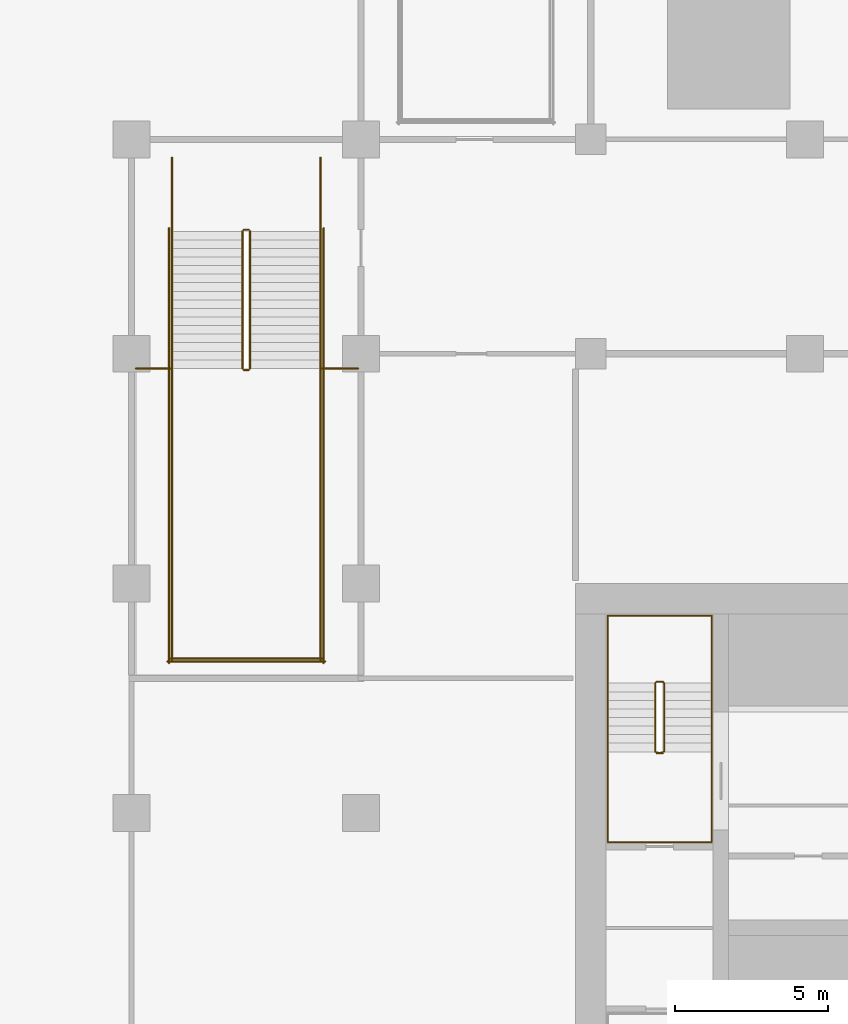
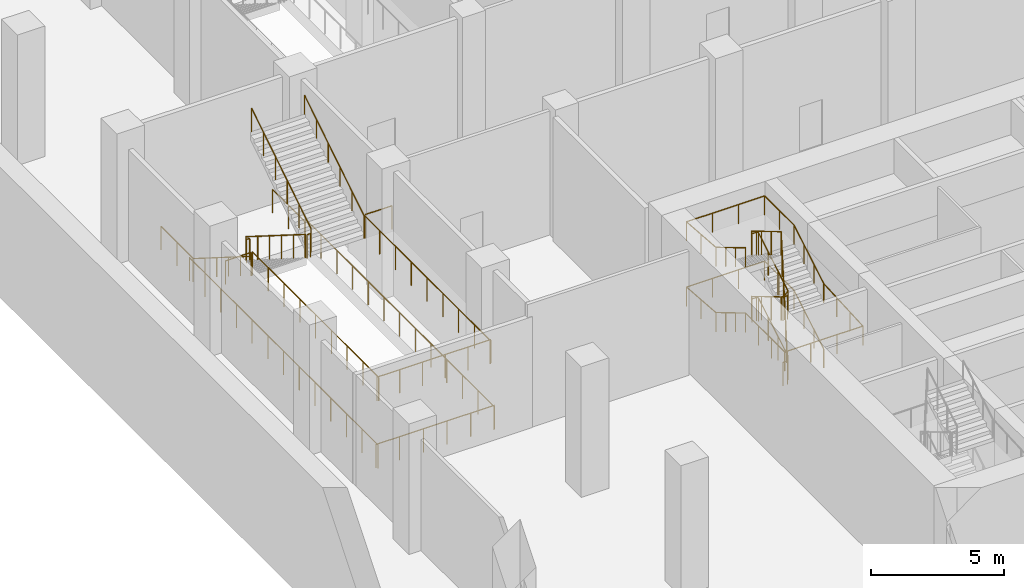
# One storey, part 33 of 45: 18 railings.
"""IFC4 building model written with IfcOpenShell, lengths in metres."""

from ifc_helpers import new_model, si_unit, direction, frame, origin, origin_2d, place, context, subcontext, project, spatial, circle, extrude, material, type_object, element, save


model = new_model("IFC4")

# Units and contexts
model_context = context("Model", 3, precision=1e-05, world=origin(), true_north=direction((0.0, 1.0)))
body_context = subcontext(model_context, "Body", "Model", "MODEL_VIEW")
ifc_project = project(units=[si_unit("LENGTHUNIT", "METRE"), si_unit("AREAUNIT", "SQUARE_METRE"), si_unit("VOLUMEUNIT", "CUBIC_METRE"), si_unit("PLANEANGLEUNIT", "RADIAN"), si_unit("MASSUNIT", "GRAM", prefix="KILO")], contexts=[model_context])

# Site, building, storey
site_placement = place(None, origin())
site = spatial("IfcSite", under=ifc_project, at=site_placement, CompositionType="ELEMENT")
building_placement = place(site_placement, origin())
building = spatial("IfcBuilding", under=site, at=building_placement, Name="Tamorin Gate", CompositionType="ELEMENT")
storey_placement = place(building_placement, frame((0.0, 0.0, -6.0)))
storey = spatial("IfcBuildingStorey", under=building, at=storey_placement, Name="B1", CompositionType="ELEMENT", Elevation=-6.0)

# Railings
ifc_material_1 = material(Name="Steel", Category="steel")
railing_type_1 = type_object("IfcRailingType", Name="Podium guard 1100", PredefinedType="GUARDRAIL", material=ifc_material_1)
railing_1_placement = place(storey_placement, frame((19.125, 94.0, 0.176513671875)))
element("IfcRailing", 1, at=railing_1_placement, inside=storey, type_object=railing_type_1, Name="B1 SB1 stair guard 1", PredefinedType="GUARDRAIL", context=body_context, shape_type="SweptSolid", body=[
    extrude(circle(Radius=0.02392578125, at=origin_2d()), frame((0.0, 0.0, 1.076171875), z_axis=(0.0, -0.845997938375, 0.533186166611), x_axis=(1.0, 0.0, 0.0)), (0.0, 0.0, 1.0), 5.29541015625),
    extrude(circle(Radius=0.02099609375, at=origin_2d()), origin(), (0.0, 0.0, 1.0), 1.052001953125),
    extrude(circle(Radius=0.02099609375, at=origin_2d()), frame((0.0, -0.89599609375, 0.564697265625)), (0.0, 0.0, 1.0), 1.052001953125),
    extrude(circle(Radius=0.02099609375, at=origin_2d()), frame((0.0, -1.7919921875, 1.12939453125)), (0.0, 0.0, 1.0), 1.052001953125),
    extrude(circle(Radius=0.02099609375, at=origin_2d()), frame((0.0, -2.68798828125, 1.694091796875)), (0.0, 0.0, 1.0), 1.052001953125),
    extrude(circle(Radius=0.02099609375, at=origin_2d()), frame((0.0, -3.583984375, 2.2587890625)), (0.0, 0.0, 1.0), 1.052001953125),
    extrude(circle(Radius=0.02099609375, at=origin_2d()), frame((0.0, -4.47998046875, 2.823486328125)), (0.0, 0.0, 1.0), 1.052001953125),
])
railing_2_placement = place(storey_placement, frame((19.175048828125, 89.469970703125, 3.0)))
element("IfcRailing", 2, at=railing_2_placement, inside=storey, type_object=railing_type_1, Name="B1 SB1 stair guard 2", PredefinedType="GUARDRAIL", context=body_context, shape_type="SweptSolid", body=[
    extrude(circle(Radius=0.02392578125, at=origin_2d()), frame((0.0, 0.0, 1.076171875), z_axis=(1.0, 0.0, 0.0), x_axis=(0.0, 1.0, 0.0)), (0.0, 0.0, 1.0), 0.14990234375),
    extrude(circle(Radius=0.02099609375, at=origin_2d()), origin(), (0.0, 0.0, 1.0), 1.052001953125),
    extrude(circle(Radius=0.02099609375, at=origin_2d()), frame((0.14990234375, 0.0, 0.0)), (0.0, 0.0, 1.0), 1.052001953125),
])
for number, where, name in (
    (3, (16.824951171875, 89.52001953125, 3.0), "B1 SB1 stair guard 3"),
    (4, (21.675048828125, 89.52001953125, 3.0), "B1 SB1 stair guard 4"),
):
    element("IfcRailing", number, at=place(storey_placement, frame(where)), inside=storey, type_object=railing_type_1, Name=name, PredefinedType="GUARDRAIL", context=body_context, shape_type="SweptSolid", body=[
        extrude(circle(Radius=0.02392578125, at=origin_2d()), frame((0.0, 0.0, 1.076171875), z_axis=(0.0, -1.0, 0.0), x_axis=(1.0, 0.0, 0.0)), (0.0, 0.0, 1.0), 9.52001953125),
        extrude(circle(Radius=0.02099609375, at=origin_2d()), origin(), (0.0, 0.0, 1.0), 1.052001953125),
        extrude(circle(Radius=0.02099609375, at=origin_2d()), frame((0.0, -1.18994140625, 0.0)), (0.0, 0.0, 1.0), 1.052001953125),
        extrude(circle(Radius=0.02099609375, at=origin_2d()), frame((0.0, -2.3798828125, 0.0)), (0.0, 0.0, 1.0), 1.052001953125),
        extrude(circle(Radius=0.02099609375, at=origin_2d()), frame((0.0, -3.570068359375, 0.0)), (0.0, 0.0, 1.0), 1.052001953125),
        extrude(circle(Radius=0.02099609375, at=origin_2d()), frame((0.0, -4.760009765625, 0.0)), (0.0, 0.0, 1.0), 1.052001953125),
        extrude(circle(Radius=0.02099609375, at=origin_2d()), frame((0.0, -5.949951171875, 0.0)), (0.0, 0.0, 1.0), 1.052001953125),
        extrude(circle(Radius=0.02099609375, at=origin_2d()), frame((0.0, -7.14013671875, 0.0)), (0.0, 0.0, 1.0), 1.052001953125),
        extrude(circle(Radius=0.02099609375, at=origin_2d()), frame((0.0, -8.330078125, 0.0)), (0.0, 0.0, 1.0), 1.052001953125),
        extrude(circle(Radius=0.02099609375, at=origin_2d()), frame((0.0, -9.52001953125, 0.0)), (0.0, 0.0, 1.0), 1.052001953125),
    ])
railing_3_placement = place(storey_placement, frame((16.77490234375, 80.050048828125, 3.0)))
element("IfcRailing", 5, at=railing_3_placement, inside=storey, type_object=railing_type_1, Name="B1 SB1 stair guard 5", PredefinedType="GUARDRAIL", context=body_context, shape_type="SweptSolid", body=[
    extrude(circle(Radius=0.02392578125, at=origin_2d()), frame((0.0, 0.0, 1.076171875), z_axis=(1.0, 0.0, 0.0), x_axis=(0.0, 1.0, 0.0)), (0.0, 0.0, 1.0), 4.9501953125),
    extrude(circle(Radius=0.02099609375, at=origin_2d()), origin(), (0.0, 0.0, 1.0), 1.052001953125),
    extrude(circle(Radius=0.02099609375, at=origin_2d()), frame((0.989990234375, 0.0, 0.0)), (0.0, 0.0, 1.0), 1.052001953125),
    extrude(circle(Radius=0.02099609375, at=origin_2d()), frame((1.97998046875, 0.0, 0.0)), (0.0, 0.0, 1.0), 1.052001953125),
    extrude(circle(Radius=0.02099609375, at=origin_2d()), frame((2.97021484375, 0.0, 0.0)), (0.0, 0.0, 1.0), 1.052001953125),
    extrude(circle(Radius=0.02099609375, at=origin_2d()), frame((3.960205078125, 0.0, 0.0)), (0.0, 0.0, 1.0), 1.052001953125),
    extrude(circle(Radius=0.02099609375, at=origin_2d()), frame((4.9501953125, 0.0, 0.0)), (0.0, 0.0, 1.0), 1.052001953125),
])
railing_4_placement = place(storey_placement, frame((19.375, 89.52001953125, 3.176513671875)))
element("IfcRailing", 6, at=railing_4_placement, inside=storey, type_object=railing_type_1, Name="B1 SB1 stair guard 6", PredefinedType="GUARDRAIL", context=body_context, shape_type="SweptSolid", body=[
    extrude(circle(Radius=0.02392578125, at=origin_2d()), frame((0.0, 0.0, 1.076171875), z_axis=(0.0, 0.845997938375, 0.533186166611), x_axis=(-1.0, 0.0, 0.0)), (0.0, 0.0, 1.0), 5.29541015625),
    extrude(circle(Radius=0.02099609375, at=origin_2d()), origin(), (0.0, 0.0, 1.0), 1.052001953125),
    extrude(circle(Radius=0.02099609375, at=origin_2d()), frame((0.0, 0.89599609375, 0.564697265625)), (0.0, 0.0, 1.0), 1.052001953125),
    extrude(circle(Radius=0.02099609375, at=origin_2d()), frame((0.0, 1.7919921875, 1.12939453125)), (0.0, 0.0, 1.0), 1.052001953125),
    extrude(circle(Radius=0.02099609375, at=origin_2d()), frame((0.0, 2.68798828125, 1.694091796875)), (0.0, 0.0, 1.0), 1.052001953125),
    extrude(circle(Radius=0.02099609375, at=origin_2d()), frame((0.0, 3.583984375, 2.2587890625)), (0.0, 0.0, 1.0), 1.052001953125),
    extrude(circle(Radius=0.02099609375, at=origin_2d()), frame((0.0, 4.47998046875, 2.823486328125)), (0.0, 0.0, 1.0), 1.052001953125),
])
railing_5_placement = place(storey_placement, frame((19.175048828125, 94.050048828125, 0.0)))
element("IfcRailing", 7, at=railing_5_placement, inside=storey, type_object=railing_type_1, Name="B1 SB1 stair guard 7", PredefinedType="GUARDRAIL", context=body_context, shape_type="SweptSolid", body=[
    extrude(circle(Radius=0.02392578125, at=origin_2d()), frame((0.0, 0.0, 1.076171875), z_axis=(1.0, 0.0, 0.0), x_axis=(0.0, 1.0, 0.0)), (0.0, 0.0, 1.0), 0.14990234375),
    extrude(circle(Radius=0.02099609375, at=origin_2d()), origin(), (0.0, 0.0, 1.0), 1.052001953125),
    extrude(circle(Radius=0.02099609375, at=origin_2d()), frame((0.14990234375, 0.0, 0.0)), (0.0, 0.0, 1.0), 1.052001953125),
])
for number, where, name in (
    (8, (16.824951171875, 96.39990234375, 0.0), "B1 SB1 stair guard 8"),
    (9, (21.675048828125, 96.39990234375, 0.0), "B1 SB1 stair guard 9"),
):
    element("IfcRailing", number, at=place(storey_placement, frame(where)), inside=storey, type_object=railing_type_1, Name=name, PredefinedType="GUARDRAIL", context=body_context, shape_type="SweptSolid", body=[
        extrude(circle(Radius=0.02392578125, at=origin_2d()), frame((0.0, 0.0, 1.076171875), z_axis=(0.0, -1.0, 0.0), x_axis=(1.0, 0.0, 0.0)), (0.0, 0.0, 1.0), 2.39990234375),
        extrude(circle(Radius=0.02099609375, at=origin_2d()), origin(), (0.0, 0.0, 1.0), 1.052001953125),
        extrude(circle(Radius=0.02099609375, at=origin_2d()), frame((0.0, -1.199951171875, 0.0)), (0.0, 0.0, 1.0), 1.052001953125),
        extrude(circle(Radius=0.02099609375, at=origin_2d()), frame((0.0, -2.39990234375, 0.0)), (0.0, 0.0, 1.0), 1.052001953125),
    ])
railing_6_placement = place(storey_placement, frame((16.72509765625, 94.10009765625, 0.0)))
element("IfcRailing", 10, at=railing_6_placement, inside=storey, type_object=railing_type_1, Name="B1 SB1 stair guard 10", PredefinedType="GUARDRAIL", context=body_context, shape_type="SweptSolid", body=[
    extrude(circle(Radius=0.02392578125, at=origin_2d()), frame((0.0, 0.0, 1.076171875), z_axis=(0.0, -1.0, 0.0), x_axis=(1.0, 0.0, 0.0)), (0.0, 0.0, 1.0), 14.2001953125),
    extrude(circle(Radius=0.02099609375, at=origin_2d()), origin(), (0.0, 0.0, 1.0), 1.052001953125),
    extrude(circle(Radius=0.02099609375, at=origin_2d()), frame((0.0, -1.183349609375, 0.0)), (0.0, 0.0, 1.0), 1.052001953125),
    extrude(circle(Radius=0.02099609375, at=origin_2d()), frame((0.0, -2.36669921875, 0.0)), (0.0, 0.0, 1.0), 1.052001953125),
    extrude(circle(Radius=0.02099609375, at=origin_2d()), frame((0.0, -3.550048828125, 0.0)), (0.0, 0.0, 1.0), 1.052001953125),
    extrude(circle(Radius=0.02099609375, at=origin_2d()), frame((0.0, -4.7333984375, 0.0)), (0.0, 0.0, 1.0), 1.052001953125),
    extrude(circle(Radius=0.02099609375, at=origin_2d()), frame((0.0, -5.916748046875, 0.0)), (0.0, 0.0, 1.0), 1.052001953125),
    extrude(circle(Radius=0.02099609375, at=origin_2d()), frame((0.0, -7.10009765625, 0.0)), (0.0, 0.0, 1.0), 1.052001953125),
    extrude(circle(Radius=0.02099609375, at=origin_2d()), frame((0.0, -8.283447265625, 0.0)), (0.0, 0.0, 1.0), 1.052001953125),
    extrude(circle(Radius=0.02099609375, at=origin_2d()), frame((0.0, -9.466796875, 0.0)), (0.0, 0.0, 1.0), 1.052001953125),
    extrude(circle(Radius=0.02099609375, at=origin_2d()), frame((0.0, -10.650146484375, 0.0)), (0.0, 0.0, 1.0), 1.052001953125),
    extrude(circle(Radius=0.02099609375, at=origin_2d()), frame((0.0, -11.83349609375, 0.0)), (0.0, 0.0, 1.0), 1.052001953125),
    extrude(circle(Radius=0.02099609375, at=origin_2d()), frame((0.0, -13.016845703125, 0.0)), (0.0, 0.0, 1.0), 1.052001953125),
    extrude(circle(Radius=0.02099609375, at=origin_2d()), frame((0.0, -14.2001953125, 0.0)), (0.0, 0.0, 1.0), 1.052001953125),
])
railing_7_placement = place(storey_placement, frame((21.77490234375, 94.10009765625, 0.0)))
element("IfcRailing", 11, at=railing_7_placement, inside=storey, type_object=railing_type_1, Name="B1 SB1 stair guard 11", PredefinedType="GUARDRAIL", context=body_context, shape_type="SweptSolid", body=[
    extrude(circle(Radius=0.02392578125, at=origin_2d()), frame((0.0, 0.0, 1.076171875), z_axis=(0.0, -1.0, 0.0), x_axis=(1.0, 0.0, 0.0)), (0.0, 0.0, 1.0), 14.2001953125),
    extrude(circle(Radius=0.02099609375, at=origin_2d()), origin(), (0.0, 0.0, 1.0), 1.052001953125),
    extrude(circle(Radius=0.02099609375, at=origin_2d()), frame((0.0, -1.183349609375, 0.0)), (0.0, 0.0, 1.0), 1.052001953125),
    extrude(circle(Radius=0.02099609375, at=origin_2d()), frame((0.0, -2.36669921875, 0.0)), (0.0, 0.0, 1.0), 1.052001953125),
    extrude(circle(Radius=0.02099609375, at=origin_2d()), frame((0.0, -3.550048828125, 0.0)), (0.0, 0.0, 1.0), 1.052001953125),
    extrude(circle(Radius=0.02099609375, at=origin_2d()), frame((0.0, -4.7333984375, 0.0)), (0.0, 0.0, 1.0), 1.052001953125),
    extrude(circle(Radius=0.02099609375, at=origin_2d()), frame((0.0, -5.916748046875, 0.0)), (0.0, 0.0, 1.0), 1.052001953125),
    extrude(circle(Radius=0.02099609375, at=origin_2d()), frame((0.0, -7.10009765625, 0.0)), (0.0, 0.0, 1.0), 1.052001953125),
    extrude(circle(Radius=0.02099609375, at=origin_2d()), frame((0.0, -8.283447265625, 0.0)), (0.0, 0.0, 1.0), 1.052001953125),
    extrude(circle(Radius=0.02099609375, at=origin_2d()), frame((0.0, -9.466796875, 0.0)), (0.0, 0.0, 1.0), 1.052001953125),
    extrude(circle(Radius=0.02099609375, at=origin_2d()), frame((0.0, -10.650146484375, 0.0)), (0.0, 0.0, 1.0), 1.052001953125),
    extrude(circle(Radius=0.02099609375, at=origin_2d()), frame((0.0, -11.83349609375, 0.0)), (0.0, 0.0, 1.0), 1.052001953125),
    extrude(circle(Radius=0.02099609375, at=origin_2d()), frame((0.0, -13.016845703125, 0.0)), (0.0, 0.0, 1.0), 1.052001953125),
    extrude(circle(Radius=0.02099609375, at=origin_2d()), frame((0.0, -14.2001953125, 0.0)), (0.0, 0.0, 1.0), 1.052001953125),
])
railing_8_placement = place(storey_placement, frame((16.675048828125, 79.949951171875, 0.0)))
element("IfcRailing", 12, at=railing_8_placement, inside=storey, type_object=railing_type_1, Name="B1 SB1 stair guard 12", PredefinedType="GUARDRAIL", context=body_context, shape_type="SweptSolid", body=[
    extrude(circle(Radius=0.02392578125, at=origin_2d()), frame((0.0, 0.0, 1.076171875), z_axis=(1.0, 0.0, 0.0), x_axis=(0.0, 1.0, 0.0)), (0.0, 0.0, 1.0), 5.14990234375),
    extrude(circle(Radius=0.02099609375, at=origin_2d()), origin(), (0.0, 0.0, 1.0), 1.052001953125),
    extrude(circle(Radius=0.02099609375, at=origin_2d()), frame((1.030029296875, 0.0, 0.0)), (0.0, 0.0, 1.0), 1.052001953125),
    extrude(circle(Radius=0.02099609375, at=origin_2d()), frame((2.06005859375, 0.0, 0.0)), (0.0, 0.0, 1.0), 1.052001953125),
    extrude(circle(Radius=0.02099609375, at=origin_2d()), frame((3.08984375, 0.0, 0.0)), (0.0, 0.0, 1.0), 1.052001953125),
    extrude(circle(Radius=0.02099609375, at=origin_2d()), frame((4.119873046875, 0.0, 0.0)), (0.0, 0.0, 1.0), 1.052001953125),
    extrude(circle(Radius=0.02099609375, at=origin_2d()), frame((5.14990234375, 0.0, 0.0)), (0.0, 0.0, 1.0), 1.052001953125),
])
railing_9_placement = place(storey_placement, frame((15.64990234375, 89.52001953125, 3.0)))
element("IfcRailing", 13, at=railing_9_placement, inside=storey, type_object=railing_type_1, Name="Landing edge guard", PredefinedType="GUARDRAIL", context=body_context, shape_type="SweptSolid", body=[
    extrude(circle(Radius=0.02392578125, at=origin_2d()), frame((0.0, 0.0, 1.076171875), z_axis=(1.0, 0.0, 0.0), x_axis=(0.0, 1.0, 0.0)), (0.0, 0.0, 1.0), 1.125),
    extrude(circle(Radius=0.02099609375, at=origin_2d()), origin(), (0.0, 0.0, 1.0), 1.052001953125),
    extrude(circle(Radius=0.02099609375, at=origin_2d()), frame((1.125, 0.0, 0.0)), (0.0, 0.0, 1.0), 1.052001953125),
])
railing_10_placement = place(storey_placement, frame((21.72509765625, 89.52001953125, 3.0)))
element("IfcRailing", 14, at=railing_10_placement, inside=storey, type_object=railing_type_1, Name="Landing edge guard", PredefinedType="GUARDRAIL", context=body_context, shape_type="SweptSolid", body=[
    extrude(circle(Radius=0.02392578125, at=origin_2d()), frame((0.0, 0.0, 1.076171875), z_axis=(1.0, 0.0, 0.0), x_axis=(0.0, 1.0, 0.0)), (0.0, 0.0, 1.0), 1.1748046875),
    extrude(circle(Radius=0.02099609375, at=origin_2d()), origin(), (0.0, 0.0, 1.0), 1.052001953125),
    extrude(circle(Radius=0.02099609375, at=origin_2d()), frame((1.1748046875, 0.0, 0.0)), (0.0, 0.0, 1.0), 1.052001953125),
])
railing_type_2 = type_object("IfcRailingType", Name="Podium stair handrail 900", PredefinedType="HANDRAIL", material=ifc_material_1)
railing_11_placement = place(storey_placement, frame((16.824951171875, 94.0, 0.176513671875)))
element("IfcRailing", 15, at=railing_11_placement, inside=storey, type_object=railing_type_2, Name="B1 SB1 stair handrail 1", PredefinedType="HANDRAIL", context=body_context, shape_type="SweptSolid", body=[
    extrude(circle(Radius=0.02392578125, at=origin_2d()), frame((0.0, 0.0, 0.8759765625), z_axis=(0.0, -0.845997938375, 0.533186166611), x_axis=(1.0, 0.0, 0.0)), (0.0, 0.0, 1.0), 5.29541015625),
    extrude(circle(Radius=0.02099609375, at=origin_2d()), origin(), (0.0, 0.0, 1.0), 0.851806640625),
    extrude(circle(Radius=0.02099609375, at=origin_2d()), frame((0.0, -0.89599609375, 0.564697265625)), (0.0, 0.0, 1.0), 0.851806640625),
    extrude(circle(Radius=0.02099609375, at=origin_2d()), frame((0.0, -1.7919921875, 1.12939453125)), (0.0, 0.0, 1.0), 0.851806640625),
    extrude(circle(Radius=0.02099609375, at=origin_2d()), frame((0.0, -2.68798828125, 1.694091796875)), (0.0, 0.0, 1.0), 0.851806640625),
    extrude(circle(Radius=0.02099609375, at=origin_2d()), frame((0.0, -3.583984375, 2.2587890625)), (0.0, 0.0, 1.0), 0.851806640625),
    extrude(circle(Radius=0.02099609375, at=origin_2d()), frame((0.0, -4.47998046875, 2.823486328125)), (0.0, 0.0, 1.0), 0.851806640625),
])
railing_12_placement = place(storey_placement, frame((21.675048828125, 89.52001953125, 3.176513671875)))
element("IfcRailing", 16, at=railing_12_placement, inside=storey, type_object=railing_type_2, Name="B1 SB1 stair handrail 2", PredefinedType="HANDRAIL", context=body_context, shape_type="SweptSolid", body=[
    extrude(circle(Radius=0.02392578125, at=origin_2d()), frame((0.0, 0.0, 0.8759765625), z_axis=(0.0, 0.845997938375, 0.533186166611), x_axis=(-1.0, 0.0, 0.0)), (0.0, 0.0, 1.0), 5.29541015625),
    extrude(circle(Radius=0.02099609375, at=origin_2d()), origin(), (0.0, 0.0, 1.0), 0.851806640625),
    extrude(circle(Radius=0.02099609375, at=origin_2d()), frame((0.0, 0.89599609375, 0.564697265625)), (0.0, 0.0, 1.0), 0.851806640625),
    extrude(circle(Radius=0.02099609375, at=origin_2d()), frame((0.0, 1.7919921875, 1.12939453125)), (0.0, 0.0, 1.0), 0.851806640625),
    extrude(circle(Radius=0.02099609375, at=origin_2d()), frame((0.0, 2.68798828125, 1.694091796875)), (0.0, 0.0, 1.0), 0.851806640625),
    extrude(circle(Radius=0.02099609375, at=origin_2d()), frame((0.0, 3.583984375, 2.2587890625)), (0.0, 0.0, 1.0), 0.851806640625),
    extrude(circle(Radius=0.02099609375, at=origin_2d()), frame((0.0, 4.47998046875, 2.823486328125)), (0.0, 0.0, 1.0), 0.851806640625),
])
ifc_material_2 = material(Name="Painted steel balustrade", Category="steel")
railing_type_3 = type_object("IfcRailingType", Name="Stair guard 1100", PredefinedType="GUARDRAIL", material=ifc_material_2)
railing_13_placement = place(storey_placement, frame((32.89990234375, 77.0, 0.166748046875)))
element("IfcRailing", 17, at=railing_13_placement, inside=storey, type_object=railing_type_3, Name="B1 ST2 stair guard 1", PredefinedType="GUARDRAIL", context=body_context, shape_type="SweptSolid", body=[
    extrude(circle(Radius=0.02392578125, at=origin_2d()), frame((0.0, 0.0, 1.076171875), z_axis=(0.0, 0.859305625298, 0.511462454469), x_axis=(-1.0, 0.0, 0.0)), (0.0, 0.0, 1.0), 2.606689453125),
    extrude(circle(Radius=0.02392578125, at=origin_2d()), frame((0.0, 2.239990234375, 2.4091796875), z_axis=(-0.705375805398, 0.708833529934, 0.0), x_axis=(-0.708833529934, -0.705375805398, 0.0)), (0.0, 0.0, 1.0), 0.070556640625),
    extrude(circle(Radius=0.02392578125, at=origin_2d()), frame((-0.0498046875, 2.2900390625, 2.4091796875), z_axis=(-1.0, 0.0, 0.0), x_axis=(0.0, -1.0, 0.0)), (0.0, 0.0, 1.0), 0.2001953125),
    extrude(circle(Radius=0.02392578125, at=origin_2d()), frame((-0.25, 2.2900390625, 2.4091796875), z_axis=(-0.275041040955, -0.276389281352, 0.920848191041), x_axis=(0.708833529934, -0.705375805398, 0.0)), (0.0, 0.0, 1.0), 0.18115234375),
    extrude(circle(Radius=0.02392578125, at=origin_2d()), frame((-0.2998046875, 2.239990234375, 2.576171875), z_axis=(0.0, -0.859305625298, 0.511462454469), x_axis=(1.0, 0.0, 0.0)), (0.0, 0.0, 1.0), 2.606689453125),
    extrude(circle(Radius=0.02392578125, at=origin_2d()), frame((-0.2998046875, 0.0, 3.9091796875), z_axis=(0.98054382908, -0.196300278283, 0.0), x_axis=(0.196300278283, 0.98054382908, 0.0)), (0.0, 0.0, 1.0), 0.2548828125),
    extrude(circle(Radius=0.02392578125, at=origin_2d()), frame((-0.0498046875, -0.050048828125, 3.9091796875), z_axis=(-1.0, 0.0, 0.0), x_axis=(0.0, -1.0, 0.0)), (0.0, 0.0, 1.0), 0.2001953125),
    extrude(circle(Radius=0.02392578125, at=origin_2d()), frame((-0.25, -0.050048828125, 3.9091796875), z_axis=(0.820621892478, 0.164284656209, 0.547348391174), x_axis=(-0.196300278283, 0.98054382908, 0.0)), (0.0, 0.0, 1.0), 0.3046875),
    extrude(circle(Radius=0.02392578125, at=origin_2d()), frame((0.0, 0.0, 4.076171875), z_axis=(0.0, 0.859305625298, 0.511462454469), x_axis=(-1.0, 0.0, 0.0)), (0.0, 0.0, 1.0), 2.606689453125),
    extrude(circle(Radius=0.02392578125, at=origin_2d()), frame((0.0, 2.239990234375, 5.4091796875), z_axis=(-0.705375805398, 0.708833529934, 0.0), x_axis=(-0.708833529934, -0.705375805398, 0.0)), (0.0, 0.0, 1.0), 0.070556640625),
    extrude(circle(Radius=0.02392578125, at=origin_2d()), frame((-0.0498046875, 2.2900390625, 5.4091796875), z_axis=(-1.0, 0.0, 0.0), x_axis=(0.0, -1.0, 0.0)), (0.0, 0.0, 1.0), 0.2001953125),
    extrude(circle(Radius=0.02392578125, at=origin_2d()), frame((-0.25, 2.2900390625, 5.4091796875), z_axis=(-0.275041040955, -0.276389281352, 0.920848191041), x_axis=(0.708833529934, -0.705375805398, 0.0)), (0.0, 0.0, 1.0), 0.18115234375),
    extrude(circle(Radius=0.02392578125, at=origin_2d()), frame((-0.2998046875, 2.239990234375, 5.576171875), z_axis=(0.0, -0.859305625298, 0.511462454469), x_axis=(1.0, 0.0, 0.0)), (0.0, 0.0, 1.0), 2.606689453125),
    extrude(circle(Radius=0.02392578125, at=origin_2d()), frame((-0.2998046875, 0.0, 6.9091796875), z_axis=(0.041629098968, -0.008333950477, -0.999098375231), x_axis=(0.196300278283, 0.98054382908, 0.0)), (0.0, 0.0, 1.0), 6.00537109375),
    extrude(circle(Radius=0.02392578125, at=origin_2d()), frame((-0.0498046875, -0.050048828125, 0.9091796875), z_axis=(-1.0, 0.0, 0.0), x_axis=(0.0, -1.0, 0.0)), (0.0, 0.0, 1.0), 0.2001953125),
    extrude(circle(Radius=0.02099609375, at=origin_2d()), origin(), (0.0, 0.0, 1.0), 1.052001953125),
    extrude(circle(Radius=0.02099609375, at=origin_2d()), frame((0.0, 0.74658203125, 0.4443359375)), (0.0, 0.0, 1.0), 1.052001953125),
    extrude(circle(Radius=0.02099609375, at=origin_2d()), frame((0.0, 1.493408203125, 0.888916015625)), (0.0, 0.0, 1.0), 1.052001953125),
    extrude(circle(Radius=0.02099609375, at=origin_2d()), frame((0.0, 2.239990234375, 1.333251953125)), (0.0, 0.0, 1.0), 1.052001953125),
    extrude(circle(Radius=0.02099609375, at=origin_2d()), frame((-0.0498046875, 2.2900390625, 1.333251953125)), (0.0, 0.0, 1.0), 1.052001953125),
    extrude(circle(Radius=0.02099609375, at=origin_2d()), frame((-0.25, 2.2900390625, 1.333251953125)), (0.0, 0.0, 1.0), 1.052001953125),
    extrude(circle(Radius=0.02099609375, at=origin_2d()), frame((-0.2998046875, 2.239990234375, 1.5)), (0.0, 0.0, 1.0), 1.052001953125),
    extrude(circle(Radius=0.02099609375, at=origin_2d()), frame((-0.2998046875, 1.493408203125, 1.9443359375)), (0.0, 0.0, 1.0), 1.052001953125),
    extrude(circle(Radius=0.02099609375, at=origin_2d()), frame((-0.2998046875, 0.74658203125, 2.388916015625)), (0.0, 0.0, 1.0), 1.052001953125),
    extrude(circle(Radius=0.02099609375, at=origin_2d()), frame((-0.2998046875, 0.0, 2.833251953125)), (0.0, 0.0, 1.0), 1.052001953125),
    extrude(circle(Radius=0.02099609375, at=origin_2d()), frame((-0.0498046875, -0.050048828125, 2.833251953125)), (0.0, 0.0, 1.0), 1.052001953125),
    extrude(circle(Radius=0.02099609375, at=origin_2d()), frame((-0.25, -0.050048828125, 2.833251953125)), (0.0, 0.0, 1.0), 1.052001953125),
    extrude(circle(Radius=0.02099609375, at=origin_2d()), frame((0.0, 0.0, 3.0)), (0.0, 0.0, 1.0), 1.052001953125),
    extrude(circle(Radius=0.02099609375, at=origin_2d()), frame((0.0, 0.74658203125, 3.4443359375)), (0.0, 0.0, 1.0), 1.052001953125),
    extrude(circle(Radius=0.02099609375, at=origin_2d()), frame((0.0, 1.493408203125, 3.888916015625)), (0.0, 0.0, 1.0), 1.052001953125),
    extrude(circle(Radius=0.02099609375, at=origin_2d()), frame((0.0, 2.239990234375, 4.333251953125)), (0.0, 0.0, 1.0), 1.052001953125),
    extrude(circle(Radius=0.02099609375, at=origin_2d()), frame((-0.0498046875, 2.2900390625, 4.333251953125)), (0.0, 0.0, 1.0), 1.052001953125),
    extrude(circle(Radius=0.02099609375, at=origin_2d()), frame((-0.25, 2.2900390625, 4.333251953125)), (0.0, 0.0, 1.0), 1.052001953125),
    extrude(circle(Radius=0.02099609375, at=origin_2d()), frame((-0.2998046875, 2.239990234375, 4.5)), (0.0, 0.0, 1.0), 1.052001953125),
    extrude(circle(Radius=0.02099609375, at=origin_2d()), frame((-0.2998046875, 1.493408203125, 4.9443359375)), (0.0, 0.0, 1.0), 1.052001953125),
    extrude(circle(Radius=0.02099609375, at=origin_2d()), frame((-0.2998046875, 0.74658203125, 5.388916015625)), (0.0, 0.0, 1.0), 1.052001953125),
    extrude(circle(Radius=0.02099609375, at=origin_2d()), frame((-0.2998046875, 0.0, 5.833251953125)), (0.0, 0.0, 1.0), 1.052001953125),
    extrude(circle(Radius=0.02099609375, at=origin_2d()), frame((-0.258056640625, -0.00830078125, 4.833251953125)), (0.0, 0.0, 1.0), 1.052001953125),
    extrude(circle(Radius=0.02099609375, at=origin_2d()), frame((-0.216552734375, -0.0166015625, 3.833251953125)), (0.0, 0.0, 1.0), 1.052001953125),
    extrude(circle(Radius=0.02099609375, at=origin_2d()), frame((-0.1748046875, -0.02490234375, 2.833251953125)), (0.0, 0.0, 1.0), 1.052001953125),
    extrude(circle(Radius=0.02099609375, at=origin_2d()), frame((-0.133056640625, -0.033447265625, 1.833251953125)), (0.0, 0.0, 1.0), 1.052001953125),
    extrude(circle(Radius=0.02099609375, at=origin_2d()), frame((-0.091552734375, -0.041748046875, 0.833251953125)), (0.0, 0.0, 1.0), 1.052001953125),
    extrude(circle(Radius=0.02099609375, at=origin_2d()), frame((-0.0498046875, -0.050048828125, -0.166748046875)), (0.0, 0.0, 1.0), 1.052001953125),
    extrude(circle(Radius=0.02099609375, at=origin_2d()), frame((-0.25, -0.050048828125, -0.166748046875)), (0.0, 0.0, 1.0), 1.052001953125),
])
ifc_material_3 = material(Name="Painted steel handrail", Category="steel")
railing_type_4 = type_object("IfcRailingType", Name="Stair handrail 900", PredefinedType="HANDRAIL", material=ifc_material_3)
railing_14_placement = place(storey_placement, frame((34.449951171875, 77.0, 0.166748046875)))
element("IfcRailing", 18, at=railing_14_placement, inside=storey, type_object=railing_type_4, Name="B1 ST2 stair handrail 1", PredefinedType="HANDRAIL", context=body_context, shape_type="SweptSolid", body=[
    extrude(circle(Radius=0.02392578125, at=origin_2d()), frame((0.0, 0.0, 0.8759765625), z_axis=(0.0, 0.859305625298, 0.511462454469), x_axis=(-1.0, 0.0, 0.0)), (0.0, 0.0, 1.0), 2.606689453125),
    extrude(circle(Radius=0.02392578125, at=origin_2d()), frame((0.0, 2.239990234375, 2.208984375), z_axis=(0.0, 1.0, 0.0), x_axis=(-1.0, 0.0, 0.0)), (0.0, 0.0, 1.0), 2.2099609375),
    extrude(circle(Radius=0.02392578125, at=origin_2d()), frame((0.0, 4.449951171875, 2.208984375), z_axis=(-1.0, 0.0, 0.0), x_axis=(0.0, -1.0, 0.0)), (0.0, 0.0, 1.0), 3.39990234375),
    extrude(circle(Radius=0.02392578125, at=origin_2d()), frame((-3.39990234375, 4.449951171875, 2.208984375), z_axis=(0.0, -0.997165524118, 0.075239069042), x_axis=(1.0, 0.0, 0.0)), (0.0, 0.0, 1.0), 2.21630859375),
    extrude(circle(Radius=0.02392578125, at=origin_2d()), frame((-3.39990234375, 2.239990234375, 2.3759765625), z_axis=(0.0, -0.859305625298, 0.511462454469), x_axis=(1.0, 0.0, 0.0)), (0.0, 0.0, 1.0), 2.606689453125),
    extrude(circle(Radius=0.02392578125, at=origin_2d()), frame((-3.39990234375, 0.0, 3.708984375), z_axis=(0.0, -1.0, 0.0), x_axis=(1.0, 0.0, 0.0)), (0.0, 0.0, 1.0), 2.949951171875),
    extrude(circle(Radius=0.02392578125, at=origin_2d()), frame((-3.39990234375, -2.949951171875, 3.708984375), z_axis=(1.0, 0.0, 0.0), x_axis=(0.0, 1.0, 0.0)), (0.0, 0.0, 1.0), 3.39990234375),
    extrude(circle(Radius=0.02392578125, at=origin_2d()), frame((0.0, -2.949951171875, 3.708984375), z_axis=(0.0, 0.998406240989, 0.056435608921), x_axis=(-1.0, 0.0, 0.0)), (0.0, 0.0, 1.0), 2.95458984375),
    extrude(circle(Radius=0.02392578125, at=origin_2d()), frame((0.0, 0.0, 3.8759765625), z_axis=(0.0, 0.859305625298, 0.511462454469), x_axis=(-1.0, 0.0, 0.0)), (0.0, 0.0, 1.0), 2.606689453125),
    extrude(circle(Radius=0.02392578125, at=origin_2d()), frame((0.0, 2.239990234375, 5.208984375), z_axis=(0.0, 1.0, 0.0), x_axis=(-1.0, 0.0, 0.0)), (0.0, 0.0, 1.0), 2.2099609375),
    extrude(circle(Radius=0.02392578125, at=origin_2d()), frame((0.0, 4.449951171875, 5.208984375), z_axis=(-1.0, 0.0, 0.0), x_axis=(0.0, -1.0, 0.0)), (0.0, 0.0, 1.0), 3.39990234375),
    extrude(circle(Radius=0.02392578125, at=origin_2d()), frame((-3.39990234375, 4.449951171875, 5.208984375), z_axis=(0.0, -0.997165524118, 0.075239069042), x_axis=(1.0, 0.0, 0.0)), (0.0, 0.0, 1.0), 2.21630859375),
    extrude(circle(Radius=0.02392578125, at=origin_2d()), frame((-3.39990234375, 2.239990234375, 5.3759765625), z_axis=(0.0, -0.859305625298, 0.511462454469), x_axis=(1.0, 0.0, 0.0)), (0.0, 0.0, 1.0), 2.606689453125),
    extrude(circle(Radius=0.02099609375, at=origin_2d()), origin(), (0.0, 0.0, 1.0), 0.851806640625),
    extrude(circle(Radius=0.02099609375, at=origin_2d()), frame((0.0, 0.74658203125, 0.4443359375)), (0.0, 0.0, 1.0), 0.851806640625),
    extrude(circle(Radius=0.02099609375, at=origin_2d()), frame((0.0, 1.493408203125, 0.888916015625)), (0.0, 0.0, 1.0), 0.851806640625),
    extrude(circle(Radius=0.02099609375, at=origin_2d()), frame((0.0, 2.239990234375, 1.333251953125)), (0.0, 0.0, 1.0), 0.851806640625),
    extrude(circle(Radius=0.02099609375, at=origin_2d()), frame((0.0, 3.344970703125, 1.333251953125)), (0.0, 0.0, 1.0), 0.851806640625),
    extrude(circle(Radius=0.02099609375, at=origin_2d()), frame((0.0, 4.449951171875, 1.333251953125)), (0.0, 0.0, 1.0), 0.851806640625),
    extrude(circle(Radius=0.02099609375, at=origin_2d()), frame((-1.13330078125, 4.449951171875, 1.333251953125)), (0.0, 0.0, 1.0), 0.851806640625),
    extrude(circle(Radius=0.02099609375, at=origin_2d()), frame((-2.2666015625, 4.449951171875, 1.333251953125)), (0.0, 0.0, 1.0), 0.851806640625),
    extrude(circle(Radius=0.02099609375, at=origin_2d()), frame((-3.39990234375, 4.449951171875, 1.333251953125)), (0.0, 0.0, 1.0), 0.851806640625),
    extrude(circle(Radius=0.02099609375, at=origin_2d()), frame((-3.39990234375, 3.344970703125, 1.41650390625)), (0.0, 0.0, 1.0), 0.851806640625),
    extrude(circle(Radius=0.02099609375, at=origin_2d()), frame((-3.39990234375, 2.239990234375, 1.5)), (0.0, 0.0, 1.0), 0.851806640625),
    extrude(circle(Radius=0.02099609375, at=origin_2d()), frame((-3.39990234375, 1.493408203125, 1.9443359375)), (0.0, 0.0, 1.0), 0.851806640625),
    extrude(circle(Radius=0.02099609375, at=origin_2d()), frame((-3.39990234375, 0.74658203125, 2.388916015625)), (0.0, 0.0, 1.0), 0.851806640625),
    extrude(circle(Radius=0.02099609375, at=origin_2d()), frame((-3.39990234375, 0.0, 2.833251953125)), (0.0, 0.0, 1.0), 0.851806640625),
    extrude(circle(Radius=0.02099609375, at=origin_2d()), frame((-3.39990234375, -0.9833984375, 2.833251953125)), (0.0, 0.0, 1.0), 0.851806640625),
    extrude(circle(Radius=0.02099609375, at=origin_2d()), frame((-3.39990234375, -1.966552734375, 2.833251953125)), (0.0, 0.0, 1.0), 0.851806640625),
    extrude(circle(Radius=0.02099609375, at=origin_2d()), frame((-3.39990234375, -2.949951171875, 2.833251953125)), (0.0, 0.0, 1.0), 0.851806640625),
    extrude(circle(Radius=0.02099609375, at=origin_2d()), frame((-2.2666015625, -2.949951171875, 2.833251953125)), (0.0, 0.0, 1.0), 0.851806640625),
    extrude(circle(Radius=0.02099609375, at=origin_2d()), frame((-1.13330078125, -2.949951171875, 2.833251953125)), (0.0, 0.0, 1.0), 0.851806640625),
    extrude(circle(Radius=0.02099609375, at=origin_2d()), frame((0.0, -2.949951171875, 2.833251953125)), (0.0, 0.0, 1.0), 0.851806640625),
    extrude(circle(Radius=0.02099609375, at=origin_2d()), frame((0.0, -1.966552734375, 2.888916015625)), (0.0, 0.0, 1.0), 0.851806640625),
    extrude(circle(Radius=0.02099609375, at=origin_2d()), frame((0.0, -0.9833984375, 2.9443359375)), (0.0, 0.0, 1.0), 0.851806640625),
    extrude(circle(Radius=0.02099609375, at=origin_2d()), frame((0.0, 0.0, 3.0)), (0.0, 0.0, 1.0), 0.851806640625),
    extrude(circle(Radius=0.02099609375, at=origin_2d()), frame((0.0, 0.74658203125, 3.4443359375)), (0.0, 0.0, 1.0), 0.851806640625),
    extrude(circle(Radius=0.02099609375, at=origin_2d()), frame((0.0, 1.493408203125, 3.888916015625)), (0.0, 0.0, 1.0), 0.851806640625),
    extrude(circle(Radius=0.02099609375, at=origin_2d()), frame((0.0, 2.239990234375, 4.333251953125)), (0.0, 0.0, 1.0), 0.851806640625),
    extrude(circle(Radius=0.02099609375, at=origin_2d()), frame((0.0, 3.344970703125, 4.333251953125)), (0.0, 0.0, 1.0), 0.851806640625),
    extrude(circle(Radius=0.02099609375, at=origin_2d()), frame((0.0, 4.449951171875, 4.333251953125)), (0.0, 0.0, 1.0), 0.851806640625),
    extrude(circle(Radius=0.02099609375, at=origin_2d()), frame((-1.13330078125, 4.449951171875, 4.333251953125)), (0.0, 0.0, 1.0), 0.851806640625),
    extrude(circle(Radius=0.02099609375, at=origin_2d()), frame((-2.2666015625, 4.449951171875, 4.333251953125)), (0.0, 0.0, 1.0), 0.851806640625),
    extrude(circle(Radius=0.02099609375, at=origin_2d()), frame((-3.39990234375, 4.449951171875, 4.333251953125)), (0.0, 0.0, 1.0), 0.851806640625),
    extrude(circle(Radius=0.02099609375, at=origin_2d()), frame((-3.39990234375, 3.344970703125, 4.41650390625)), (0.0, 0.0, 1.0), 0.851806640625),
    extrude(circle(Radius=0.02099609375, at=origin_2d()), frame((-3.39990234375, 2.239990234375, 4.5)), (0.0, 0.0, 1.0), 0.851806640625),
    extrude(circle(Radius=0.02099609375, at=origin_2d()), frame((-3.39990234375, 1.493408203125, 4.9443359375)), (0.0, 0.0, 1.0), 0.851806640625),
    extrude(circle(Radius=0.02099609375, at=origin_2d()), frame((-3.39990234375, 0.74658203125, 5.388916015625)), (0.0, 0.0, 1.0), 0.851806640625),
    extrude(circle(Radius=0.02099609375, at=origin_2d()), frame((-3.39990234375, 0.0, 5.833251953125)), (0.0, 0.0, 1.0), 0.851806640625),
])

save(model, "model.ifc")
